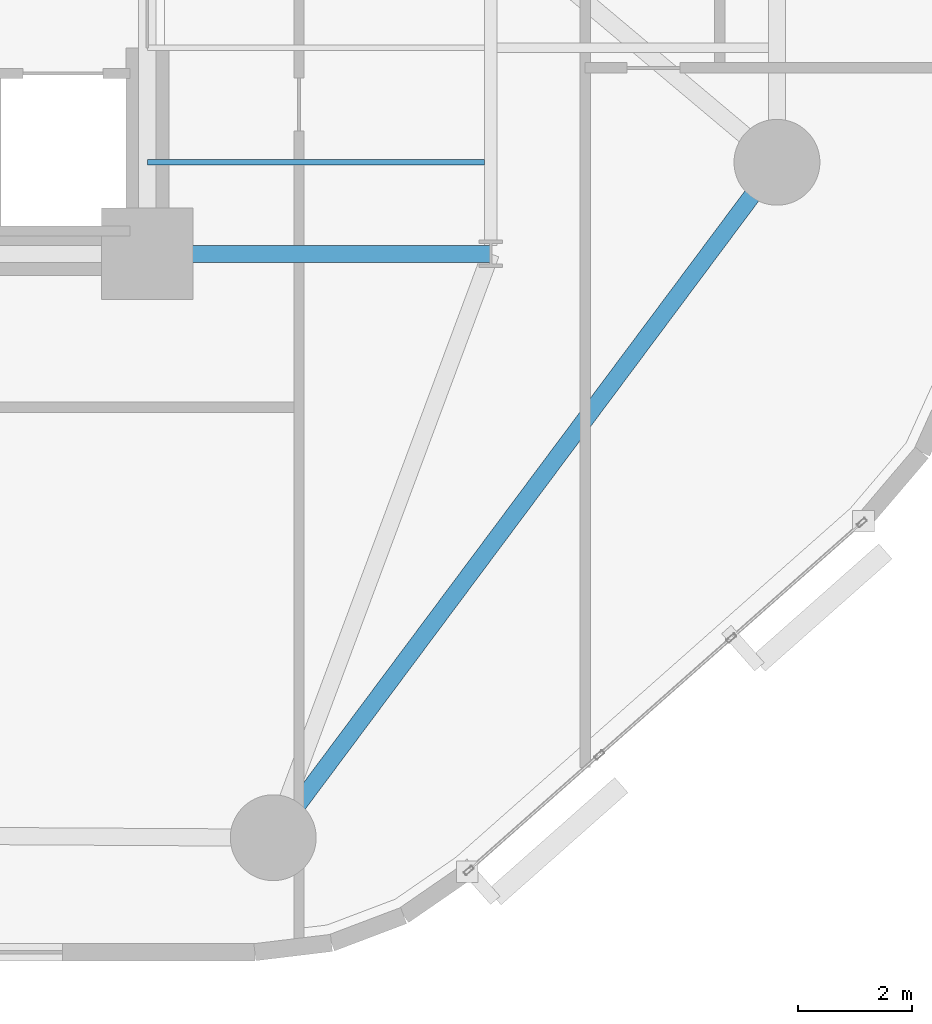
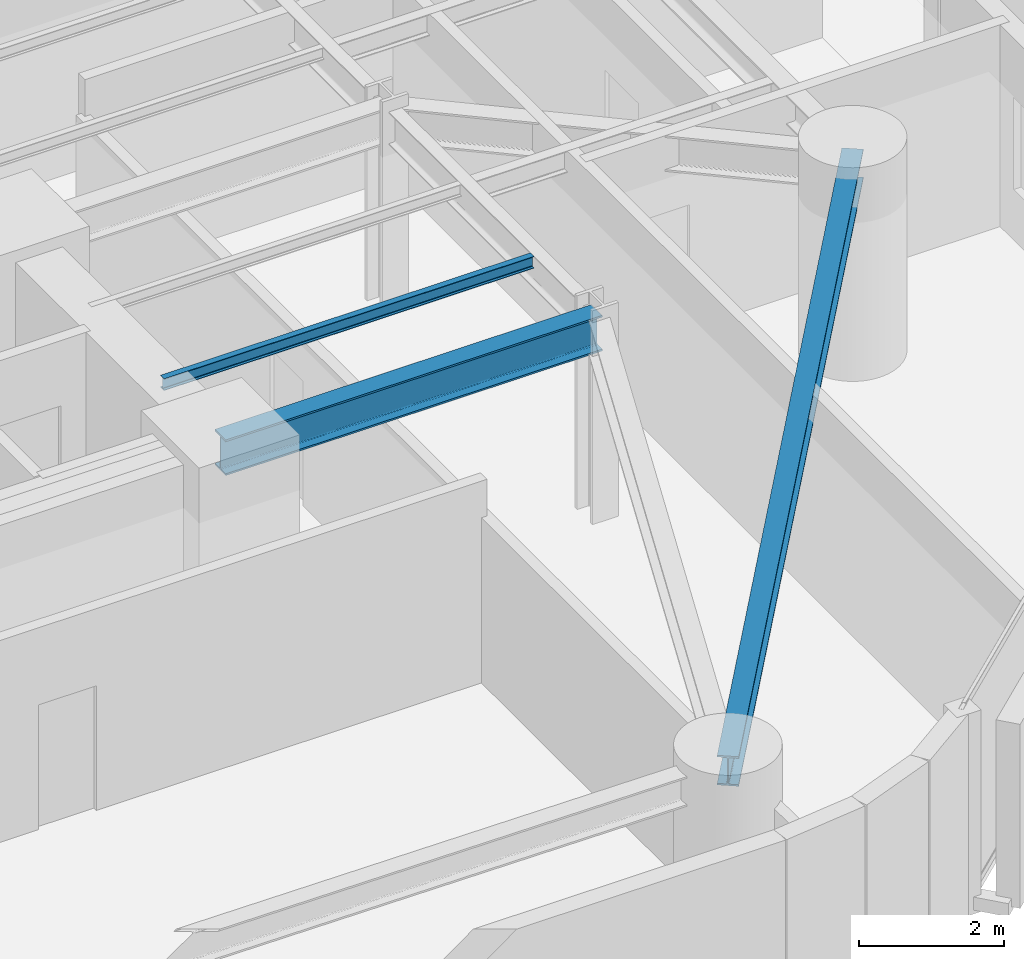
# One storey, part 3 of 16: 3 beams.
"""IFC4 building model written with IfcOpenShell, lengths in metres."""

from ifc_helpers import new_model, si_unit, direction, frame, origin, origin_2d, place, context, subcontext, project, spatial, i_section, extrude, material, material_profile, profile_set, type_object, element, save


model = new_model("IFC4")

# Units and contexts
model_context = context("Model", 3, precision=1e-05, world=origin(), true_north=direction((0.0, 1.0)))
body_context = subcontext(model_context, "Body", "Model", "MODEL_VIEW")
ifc_project = project(units=[si_unit("LENGTHUNIT", "METRE"), si_unit("AREAUNIT", "SQUARE_METRE"), si_unit("VOLUMEUNIT", "CUBIC_METRE"), si_unit("PLANEANGLEUNIT", "RADIAN"), si_unit("MASSUNIT", "GRAM", prefix="KILO")], contexts=[model_context])

# Site, building, storey
site_placement = place(None, origin())
site = spatial("IfcSite", under=ifc_project, at=site_placement, CompositionType="ELEMENT")
building_placement = place(site_placement, origin())
building = spatial("IfcBuilding", under=site, at=building_placement, Name="An Khanh Terracotta Commons", CompositionType="ELEMENT")
storey_placement = place(building_placement, frame((0.0, 0.0, 57.60009765625)))
storey = spatial("IfcBuildingStorey", under=building, at=storey_placement, Name="L15", CompositionType="ELEMENT", Elevation=57.60009765625)

# Beams
ifc_material = material(Name="Steel S355J2", Category="steel")
ifc_material_profile_1 = material_profile(ifc_material, i_section(OverallWidth=0.300048828125, OverallDepth=0.5, WebThickness=0.014404296875, FlangeThickness=0.028076171875, FilletRadius=0.027099609375, at=origin_2d()), Name="HEB500")
ifc_profile_set_1 = profile_set([ifc_material_profile_1], Name="Steel S355J2")
beam_type_1 = type_object("IfcBeamType", Name="BM-HEB500", PredefinedType="BEAM", material=ifc_profile_set_1)
beam_1_placement = place(storey_placement, frame((39.39990234375, 4.199951171875, 3.14990234375), z_axis=(0.59782442166, 0.801627070942, 0.0), x_axis=(-0.801627070942, 0.59782442166, 0.0)))
element("IfcBeam", 1, at=beam_1_placement, inside=storey, type_object=beam_type_1, Name="L15 Perimeter Ring Spandrel 2", PredefinedType="BEAM", context=body_context, shape_type="SweptSolid", body=[
    extrude(i_section(OverallWidth=0.300048828125, OverallDepth=0.5, WebThickness=0.014404296875, FlangeThickness=0.028076171875, FilletRadius=0.027099609375, at=origin_2d()), origin(), (0.0, 0.0, 1.0), 14.72021484375),
])
ifc_material_profile_2 = material_profile(ifc_material, i_section(OverallWidth=0.300048828125, OverallDepth=0.60009765625, WebThickness=0.015380859375, FlangeThickness=0.030029296875, FilletRadius=0.027099609375, at=origin_2d()), Name="HEB600")
ifc_profile_set_2 = profile_set([ifc_material_profile_2], Name="Steel S355J2")
beam_type_2 = type_object("IfcBeamType", Name="BM-HEB600", PredefinedType="BEAM", material=ifc_profile_set_2)
beam_2_placement = place(storey_placement, frame((37.199951171875, 14.39990234375, 3.099853515625), z_axis=(1.0, 0.0, 0.0), x_axis=(0.0, 1.0, 0.0)))
element("IfcBeam", 2, at=beam_2_placement, inside=storey, type_object=beam_type_2, Name="L15 East Primary Floor Girder 1", PredefinedType="BEAM", context=body_context, shape_type="SweptSolid", body=[
    extrude(i_section(OverallWidth=0.300048828125, OverallDepth=0.60009765625, WebThickness=0.015380859375, FlangeThickness=0.030029296875, FilletRadius=0.027099609375, at=origin_2d()), origin(), (0.0, 0.0, 1.0), 6.0),
])
ifc_material_profile_3 = material_profile(ifc_material, i_section(OverallWidth=0.10009765625, OverallDepth=0.199951171875, WebThickness=0.005615234375, FlangeThickness=0.008544921875, FilletRadius=0.011962890625, at=origin_2d()), Name="IPE200")
ifc_profile_set_3 = profile_set([ifc_material_profile_3], Name="Steel S355J2")
beam_type_3 = type_object("IfcBeamType", Name="BM-IPE200", PredefinedType="JOIST", material=ifc_profile_set_3)
beam_3_placement = place(storey_placement, frame((37.199951171875, 16.0, 3.2998046875), z_axis=(1.0, 0.0, 0.0), x_axis=(0.0, 1.0, 0.0)))
element("IfcBeam", 3, at=beam_3_placement, inside=storey, type_object=beam_type_3, Name="L15 Inboard Composite Joist 1", PredefinedType="JOIST", context=body_context, shape_type="SweptSolid", body=[
    extrude(i_section(OverallWidth=0.10009765625, OverallDepth=0.199951171875, WebThickness=0.005615234375, FlangeThickness=0.008544921875, FilletRadius=0.011962890625, at=origin_2d()), origin(), (0.0, 0.0, 1.0), 5.89501953125),
])

save(model, "model.ifc")
